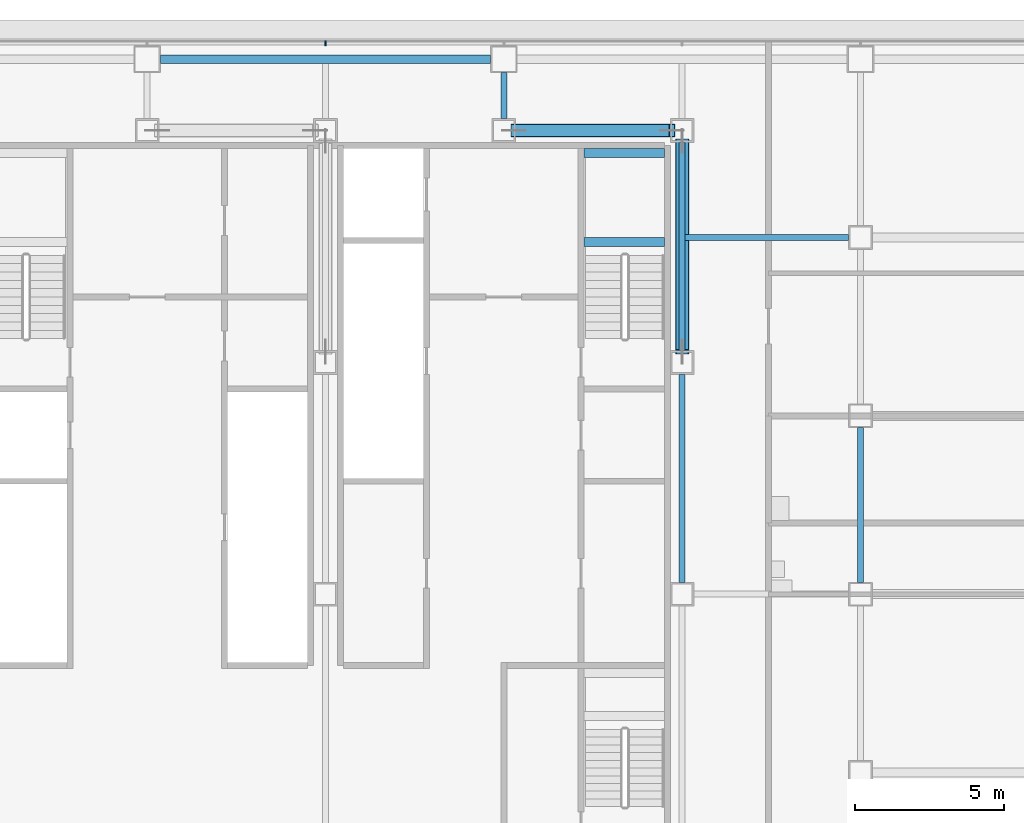
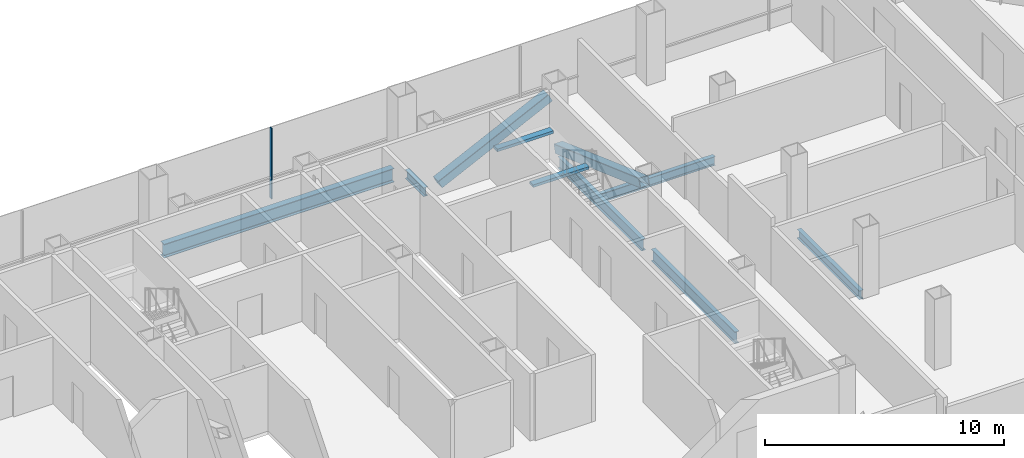
# One storey, part 13 of 27: 8 beams, 3 members, 1 element without a shape of its own.
"""IFC4 building model written with IfcOpenShell, lengths in metres."""

from ifc_helpers import new_model, si_unit, direction, frame, origin, origin_2d, place, context, subcontext, project, spatial, rectangle, hollow_rectangle, i_section, extrude, material, material_profile, profile_set, type_object, element, aggregate, save


model = new_model("IFC4")

# Units and contexts
model_context = context("Model", 3, precision=1e-05, world=origin(), true_north=direction((0.0, 1.0)))
body_context = subcontext(model_context, "Body", "Model", "MODEL_VIEW")
ifc_project = project(units=[si_unit("LENGTHUNIT", "METRE"), si_unit("AREAUNIT", "SQUARE_METRE"), si_unit("VOLUMEUNIT", "CUBIC_METRE"), si_unit("PLANEANGLEUNIT", "RADIAN"), si_unit("MASSUNIT", "GRAM", prefix="KILO")], contexts=[model_context])

# Site, building, storey
site_placement = place(None, origin())
site = spatial("IfcSite", under=ifc_project, at=site_placement, CompositionType="ELEMENT")
building_placement = place(site_placement, origin())
building = spatial("IfcBuilding", under=site, at=building_placement, Name="Sorahane Residences", CompositionType="ELEMENT")
storey_placement = place(building_placement, frame((0.0, 0.0, 78.60009765625)))
storey = spatial("IfcBuildingStorey", under=building, at=storey_placement, Name="L16", CompositionType="ELEMENT", Elevation=78.60009765625)

# Members
ifc_material_1 = material(Name="Steel Q355B", Category="steel")
ifc_material_profile_1 = material_profile(ifc_material_1, hollow_rectangle(XDim=0.449951171875, YDim=0.449951171875, WallThickness=0.02197265625, InnerFilletRadius=0.010986328125, OuterFilletRadius=0.032958984375, at=origin_2d()), Name="RHS 450x450x22")
ifc_profile_set_1 = profile_set([ifc_material_profile_1], Name="Steel Q355B")
member_type_1 = type_object("IfcMemberType", Name="Core brace RHS 450x450x22 Q355B", PredefinedType="BRACE", material=ifc_profile_set_1)
member_1_placement = place(storey_placement, frame((36.341064453125, 45.60009765625, 0.1962890625), z_axis=(0.899894691922, 0.0, 0.436107261405), x_axis=(0.0, 1.0, 0.0)))
element("IfcMember", 1, at=member_1_placement, inside=storey, type_object=member_type_1, Name="Core brace L16 y45.6-6", PredefinedType="BRACE", context=body_context, shape_type="SweptSolid", body=[
    extrude(hollow_rectangle(XDim=0.449951171875, YDim=0.449951171875, WallThickness=0.02197265625, InnerFilletRadius=0.010986328125, OuterFilletRadius=0.032958984375, at=origin_2d()), origin(), (0.0, 0.0, 1.0), 5.909423828125),
])
member_2_placement = place(storey_placement, frame((42.0, 45.24560546875, 0.20849609375), z_axis=(0.0, -0.940882869443, 0.338732085856), x_axis=(1.0, 0.0, 0.0)))
element("IfcMember", 2, at=member_2_placement, inside=storey, type_object=member_type_1, Name="Core brace L16 x42-3", PredefinedType="BRACE", context=body_context, shape_type="SweptSolid", body=[
    extrude(hollow_rectangle(XDim=0.449951171875, YDim=0.449951171875, WallThickness=0.02197265625, InnerFilletRadius=0.010986328125, OuterFilletRadius=0.032958984375, at=origin_2d()), origin(), (0.0, 0.0, 1.0), 7.536865234375),
])

# Curtain wall, member
ifc_material_2 = material(Name="Dark low-e glass and black anodised aluminium", Category="aluminium")
curtain_wall_type = type_object("IfcCurtainWallType", Name="Curtain wall CW-1 Typical unitised wall", PredefinedType="NOTDEFINED", material=ifc_material_2)
curtain_wall_placement = place(storey_placement, origin())
curtain_wall = element("IfcCurtainWall", 3, at=curtain_wall_placement, inside=storey, type_object=curtain_wall_type, Name="CW-1 curtain wall L16 N1", PredefinedType="NOTDEFINED")
ifc_material_3 = material(Name="Black anodised aluminium", Category="aluminium")
ifc_material_profile_2 = material_profile(ifc_material_3, rectangle(XDim=0.159912109375, YDim=0.050048828125, at=origin_2d()), Name="Curtain wall mullion CW-1 black anodised aluminium 50x160")
ifc_profile_set_2 = profile_set([ifc_material_profile_2], Name="Black anodised aluminium")
member_type_2 = type_object("IfcMemberType", Name="Curtain wall mullion CW-1 black anodised aluminium 50x160", PredefinedType="MULLION", material=ifc_profile_set_2)
member_3_placement = place(storey_placement, frame((30.0, 48.5400390625, -0.18017578125), z_axis=(0.0, 0.0, 1.0), x_axis=(0.0, 1.0, 0.0)))
member_3 = element("IfcMember", 4, at=member_3_placement, type_object=member_type_2, Name="CW-1 mullion L16 N1.6", PredefinedType="MULLION", context=body_context, shape_type="SweptSolid", body=[
    extrude(rectangle(XDim=0.159912109375, YDim=0.050048828125, at=origin_2d()), origin(), (0.0, 0.0, 1.0), 3.60009765625),
])
aggregate(curtain_wall, [member_3])

# Beams
ifc_material_4 = material(Name="Concrete C40", Category="concrete")
ifc_material_profile_3 = material_profile(ifc_material_4, rectangle(XDim=0.300048828125, YDim=0.139892578125, at=origin_2d()), Name="300x140")
ifc_profile_set_3 = profile_set([ifc_material_profile_3], Name="Concrete C40")
beam_type_1 = type_object("IfcBeamType", Name="RC landing beam 300 x 140 Concrete C40", PredefinedType="BEAM", material=ifc_profile_set_3)
for number, where, z_axis, x_axis, name in (
    (5, (38.699951171875, 41.85009765625, 1.52978515625), (1.0, 0.0, 0.0), (0.0, 1.0, 0.0), "Landing beam"),
    (6, (38.699951171875, 44.85009765625, 1.52978515625), (1.0, 0.0, 0.0), (0.0, 1.0, 0.0), "Landing beam"),
):
    element("IfcBeam", number, at=place(storey_placement, frame(where, z_axis=z_axis, x_axis=x_axis)), inside=storey, type_object=beam_type_1, Name=name, PredefinedType="BEAM", context=body_context, shape_type="SweptSolid", body=[
        extrude(rectangle(XDim=0.300048828125, YDim=0.139892578125, at=origin_2d()), origin(), (0.0, 0.0, 1.0), 2.699951171875),
    ])
ifc_material_5 = material(Name="Steel Q355B", Category="steel")
ifc_material_profile_4 = material_profile(ifc_material_5, i_section(OverallWidth=0.199951171875, OverallDepth=0.449951171875, WebThickness=0.009033203125, FlangeThickness=0.013916015625, FilletRadius=0.02001953125, at=origin_2d()), Name="HN 450x200x9x14")
ifc_profile_set_4 = profile_set([ifc_material_profile_4], Name="Steel Q355B")
beam_type_2 = type_object("IfcBeamType", Name="Steel floor beam HN 450x200x9x14 Q355B", PredefinedType="BEAM", material=ifc_profile_set_4)
beam_1_placement = place(storey_placement, frame((36.0, 46.0, -0.405029296875), z_axis=(0.0, 1.0, 0.0), x_axis=(-1.0, 0.0, 0.0)))
element("IfcBeam", 7, at=beam_1_placement, inside=storey, type_object=beam_type_2, Name="Beam L16 044", PredefinedType="BEAM", context=body_context, shape_type="SweptSolid", body=[
    extrude(i_section(OverallWidth=0.199951171875, OverallDepth=0.449951171875, WebThickness=0.009033203125, FlangeThickness=0.013916015625, FilletRadius=0.02001953125, at=origin_2d()), origin(), (0.0, 0.0, 1.0), 1.550048828125),
])
beam_2_placement = place(storey_placement, frame((48.0, 30.39990234375, -0.405029296875), z_axis=(0.0, 1.0, 0.0), x_axis=(-1.0, 0.0, 0.0)))
element("IfcBeam", 8, at=beam_2_placement, inside=storey, type_object=beam_type_2, Name="Beam L16 054", PredefinedType="BEAM", context=body_context, shape_type="SweptSolid", body=[
    extrude(i_section(OverallWidth=0.199951171875, OverallDepth=0.449951171875, WebThickness=0.009033203125, FlangeThickness=0.013916015625, FilletRadius=0.02001953125, at=origin_2d()), origin(), (0.0, 0.0, 1.0), 5.2001953125),
])
beam_3_placement = place(storey_placement, frame((42.10009765625, 42.0, -0.405029296875), z_axis=(1.0, 0.0, 0.0), x_axis=(0.0, 1.0, 0.0)))
element("IfcBeam", 9, at=beam_3_placement, inside=storey, type_object=beam_type_2, Name="Beam L16 080", PredefinedType="BEAM", context=body_context, shape_type="SweptSolid", body=[
    extrude(i_section(OverallWidth=0.199951171875, OverallDepth=0.449951171875, WebThickness=0.009033203125, FlangeThickness=0.013916015625, FilletRadius=0.02001953125, at=origin_2d()), origin(), (0.0, 0.0, 1.0), 5.5),
])
ifc_material_6 = material(Name="Steel Q355B", Category="steel")
ifc_material_profile_5 = material_profile(ifc_material_6, i_section(OverallWidth=0.199951171875, OverallDepth=0.60009765625, WebThickness=0.010986328125, FlangeThickness=0.01708984375, FilletRadius=0.02392578125, at=origin_2d()), Name="HN 600x200x11x17")
ifc_profile_set_5 = profile_set([ifc_material_profile_5], Name="Steel Q355B")
beam_type_3 = type_object("IfcBeamType", Name="Steel floor beam HN 600x200x11x17 Q355B", PredefinedType="BEAM", material=ifc_profile_set_5)
for number, where, z_axis, x_axis, name in (
    (10, (42.0, 30.39990234375, -0.47998046875), (0.0, 1.0, 0.0), (-1.0, 0.0, 0.0), "Beam L16 048"),
    (11, (42.0, 38.199951171875, -0.47998046875), (0.0, 1.0, 0.0), (-1.0, 0.0, 0.0), "Beam L16 049"),
):
    element("IfcBeam", number, at=place(storey_placement, frame(where, z_axis=z_axis, x_axis=x_axis)), inside=storey, type_object=beam_type_3, Name=name, PredefinedType="BEAM", context=body_context, shape_type="SweptSolid", body=[
        extrude(i_section(OverallWidth=0.199951171875, OverallDepth=0.60009765625, WebThickness=0.010986328125, FlangeThickness=0.01708984375, FilletRadius=0.02392578125, at=origin_2d()), origin(), (0.0, 0.0, 1.0), 7.0),
    ])
ifc_material_7 = material(Name="Steel Q355B", Category="steel")
ifc_material_profile_6 = material_profile(ifc_material_7, i_section(OverallWidth=0.300048828125, OverallDepth=0.699951171875, WebThickness=0.012939453125, FlangeThickness=0.02392578125, FilletRadius=0.028076171875, at=origin_2d()), Name="HN 700x300x13x24")
ifc_profile_set_6 = profile_set([ifc_material_profile_6], Name="Steel Q355B")
beam_type_4 = type_object("IfcBeamType", Name="Steel floor beam HN 700x300x13x24 Q355B", PredefinedType="BEAM", material=ifc_profile_set_6)
beam_4_placement = place(storey_placement, frame((24.449951171875, 48.0, -0.530029296875), z_axis=(1.0, 0.0, 0.0), x_axis=(0.0, 1.0, 0.0)))
element("IfcBeam", 12, at=beam_4_placement, inside=storey, type_object=beam_type_4, Name="Beam L16 014", PredefinedType="BEAM", context=body_context, shape_type="SweptSolid", body=[
    extrude(i_section(OverallWidth=0.300048828125, OverallDepth=0.699951171875, WebThickness=0.012939453125, FlangeThickness=0.02392578125, FilletRadius=0.028076171875, at=origin_2d()), origin(), (0.0, 0.0, 1.0), 11.10009765625),
])

save(model, "model.ifc")
